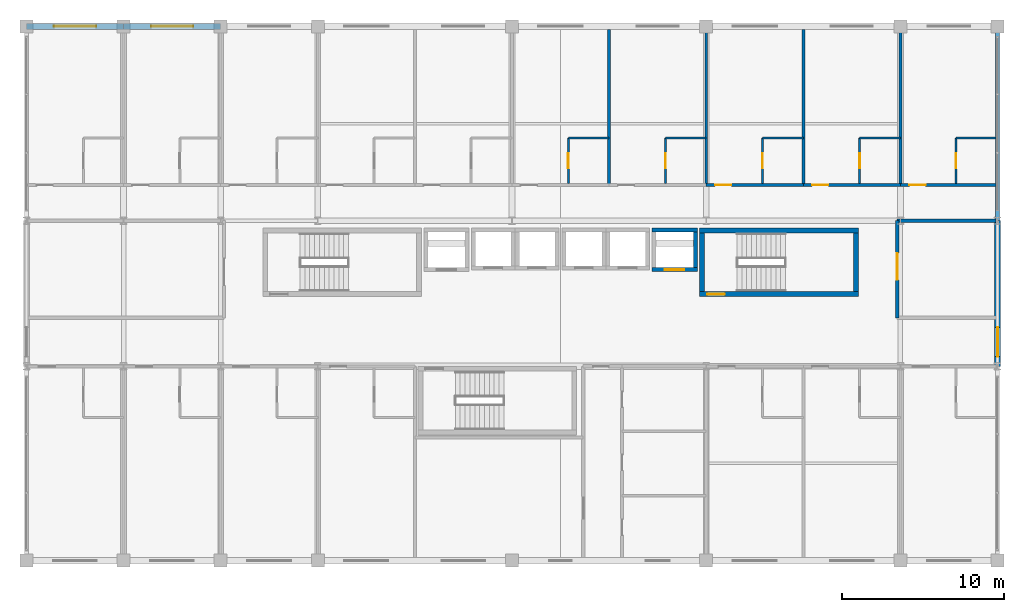
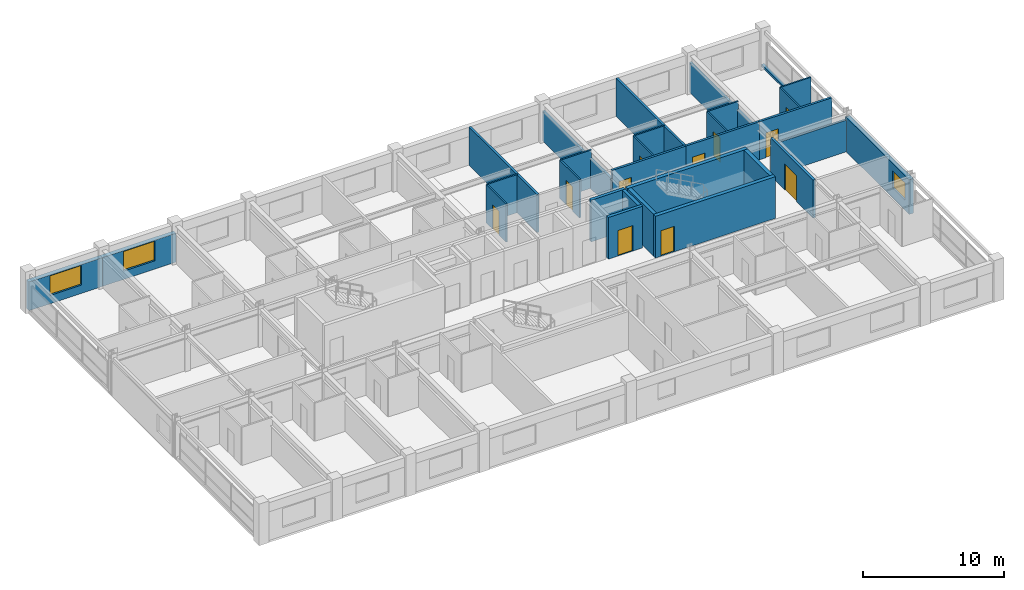
# One storey, part 24 of 26: 30 walls, 11 doors, 3 windows, 14 openings.
"""IFC4 building model written with IfcOpenShell, lengths in metres."""

from ifc_helpers import new_model, si_unit, direction, frame, frame_2d, origin, place, context, subcontext, project, spatial, rectangle, extrude, material, layer, layer_set, type_object, element, fill, save


model = new_model("IFC4")

# Units and contexts
model_context = context("Model", 3, precision=1e-05, world=origin(), true_north=direction((0.0, 1.0)))
body_context = subcontext(model_context, "Body", "Model", "MODEL_VIEW")
ifc_project = project(units=[si_unit("LENGTHUNIT", "METRE"), si_unit("AREAUNIT", "SQUARE_METRE"), si_unit("VOLUMEUNIT", "CUBIC_METRE"), si_unit("PLANEANGLEUNIT", "RADIAN"), si_unit("MASSUNIT", "GRAM", prefix="KILO")], contexts=[model_context])

# Site, building, storey
site_placement = place(None, origin())
site = spatial("IfcSite", under=ifc_project, at=site_placement, CompositionType="ELEMENT")
building_placement = place(site_placement, origin())
building = spatial("IfcBuilding", under=site, at=building_placement, Name="Kaldorvane Square Convention Centre", CompositionType="ELEMENT")
storey_placement = place(building_placement, frame((0.0, 0.0, 42.0)))
storey = spatial("IfcBuildingStorey", under=building, at=storey_placement, Name="L09", CompositionType="ELEMENT", Elevation=42.0)

# Wall, opening, door
ifc_material_1 = material(Name="Fire-Rated Gypsum Board on Acoustic Steel Studs", Category="steel")
ifc_layer_1 = layer(ifc_material_1, 0.125)
ifc_layer_set_1 = layer_set([ifc_layer_1], Name="Fire-Rated Gypsum Board on Acoustic Steel Studs")
wall_type_1 = type_object("IfcWallType", Name="WL-BATH-125", PredefinedType="PARTITIONING", material=ifc_layer_set_1)
wall_1_placement = place(storey_placement, frame((57.47999572753906, 107.28999328613281, 0.0), z_axis=(0.0, 0.0, 1.0), x_axis=(0.0, 1.0, 0.0)))
wall_1 = element("IfcWall", 1, at=wall_1_placement, inside=storey, type_object=wall_type_1, Name="En-Suite 906 West Wall", PredefinedType="PARTITIONING", context=body_context, shape_type="SweptSolid", body=[
    extrude(rectangle(XDim=2.8100128173828125, YDim=0.125, at=frame_2d((1.404998779296875, 0.0))), origin(), (0.0, 0.0, 1.0), 3.2899932861328125),
])
opening_1_placement = place(wall_1_placement, frame((0.9499969482421875, 0.0, 0.0)))
opening_1 = element("IfcOpeningElement", 2, at=opening_1_placement, cuts=wall_1, Name="Opening ID-12", PredefinedType="OPENING", context=body_context, shape_type="SweptSolid", body=[
    extrude(rectangle(XDim=0.9199981689453125, YDim=2.100006103515625, at=frame_2d((0.459991455078125, 1.0500030517578125))), frame((0.0, 0.0774993896484375, 0.0), z_axis=(0.0, -1.0, 0.0), x_axis=(1.0, 0.0, 0.0)), (0.0, 0.0, 1.0), 0.154998779296875),
])
ifc_material_2 = material(Name="Architectural Solid-Core White Oak")
door_type_1 = type_object("IfcDoorType", Name="DR-BATH-0920X2100", OperationType="SINGLE_SWING_RIGHT", PredefinedType="DOOR", material=ifc_material_2)
door_1_placement = place(opening_1_placement, origin())
door_1 = element("IfcDoor", 3, at=door_1_placement, inside=storey, type_object=door_type_1, Name="En-Suite Bathroom 906 Door", OperationType="SINGLE_SWING_RIGHT", OverallHeight=2.100006103515625, OverallWidth=0.9199981689453125, PredefinedType="DOOR", context=body_context, shape_type="SweptSolid", body=[
    extrude(rectangle(XDim=0.9199981689453125, YDim=2.100006103515625, at=frame_2d((0.459991455078125, 1.0500030517578125))), frame((0.0, 0.024993896484375, 0.0), z_axis=(0.0, -1.0, 0.0), x_axis=(1.0, 0.0, 0.0)), (0.0, 0.0, 1.0), 0.0500030517578125),
])
fill(opening_1, door_1)

# Wall
wall_2_placement = place(storey_placement, frame((57.47999572753906, 110.10000610351562, 0.0), z_axis=(0.0, 0.0, 1.0), x_axis=(1.0, 0.0, 0.0)))
element("IfcWall", 4, at=wall_2_placement, inside=storey, type_object=wall_type_1, Name="En-Suite 906 North Wall", PredefinedType="PARTITIONING", context=body_context, shape_type="SweptSolid", body=[
    extrude(rectangle(XDim=2.5200042724609375, YDim=0.125, at=frame_2d((1.260009765625, 0.0))), origin(), (0.0, 0.0, 1.0), 3.2899932861328125),
])

# Wall, opening, door
wall_3_placement = place(storey_placement, frame((63.47999572753906, 107.28999328613281, 0.0), z_axis=(0.0, 0.0, 1.0), x_axis=(0.0, 1.0, 0.0)))
wall_3 = element("IfcWall", 5, at=wall_3_placement, inside=storey, type_object=wall_type_1, Name="En-Suite 907 West Wall", PredefinedType="PARTITIONING", context=body_context, shape_type="SweptSolid", body=[
    extrude(rectangle(XDim=2.8100128173828125, YDim=0.125, at=frame_2d((1.404998779296875, 0.0))), origin(), (0.0, 0.0, 1.0), 3.2899932861328125),
])
opening_2_placement = place(wall_3_placement, frame((0.9499969482421875, 0.0, 0.0)))
opening_2 = element("IfcOpeningElement", 6, at=opening_2_placement, cuts=wall_3, Name="Opening ID-12", PredefinedType="OPENING", context=body_context, shape_type="SweptSolid", body=[
    extrude(rectangle(XDim=0.9199981689453125, YDim=2.100006103515625, at=frame_2d((0.459991455078125, 1.0500030517578125))), frame((0.0, 0.0774993896484375, 0.0), z_axis=(0.0, -1.0, 0.0), x_axis=(1.0, 0.0, 0.0)), (0.0, 0.0, 1.0), 0.154998779296875),
])
door_2_placement = place(opening_2_placement, origin())
door_2 = element("IfcDoor", 7, at=door_2_placement, inside=storey, type_object=door_type_1, Name="En-Suite Bathroom 907 Door", OperationType="SINGLE_SWING_RIGHT", OverallHeight=2.100006103515625, OverallWidth=0.9199981689453125, PredefinedType="DOOR", context=body_context, shape_type="SweptSolid", body=[
    extrude(rectangle(XDim=0.9199981689453125, YDim=2.100006103515625, at=frame_2d((0.459991455078125, 1.0500030517578125))), frame((0.0, 0.024993896484375, 0.0), z_axis=(0.0, -1.0, 0.0), x_axis=(1.0, 0.0, 0.0)), (0.0, 0.0, 1.0), 0.0500030517578125),
])
fill(opening_2, door_2)

# Wall
wall_4_placement = place(storey_placement, frame((63.47999572753906, 110.10000610351562, 0.0), z_axis=(0.0, 0.0, 1.0), x_axis=(1.0, 0.0, 0.0)))
element("IfcWall", 8, at=wall_4_placement, inside=storey, type_object=wall_type_1, Name="En-Suite 907 North Wall", PredefinedType="PARTITIONING", context=body_context, shape_type="SweptSolid", body=[
    extrude(rectangle(XDim=2.5200042724609375, YDim=0.125, at=frame_2d((1.260009765625, 0.0))), origin(), (0.0, 0.0, 1.0), 3.2899932861328125),
])

# Wall, opening, door
wall_5_placement = place(storey_placement, frame((69.47999572753906, 107.28999328613281, 0.0), z_axis=(0.0, 0.0, 1.0), x_axis=(0.0, 1.0, 0.0)))
wall_5 = element("IfcWall", 9, at=wall_5_placement, inside=storey, type_object=wall_type_1, Name="En-Suite 908 West Wall", PredefinedType="PARTITIONING", context=body_context, shape_type="SweptSolid", body=[
    extrude(rectangle(XDim=2.8100128173828125, YDim=0.125, at=frame_2d((1.404998779296875, 0.0))), origin(), (0.0, 0.0, 1.0), 3.2899932861328125),
])
opening_3_placement = place(wall_5_placement, frame((0.9499969482421875, 0.0, 0.0)))
opening_3 = element("IfcOpeningElement", 10, at=opening_3_placement, cuts=wall_5, Name="Opening ID-12", PredefinedType="OPENING", context=body_context, shape_type="SweptSolid", body=[
    extrude(rectangle(XDim=0.9199981689453125, YDim=2.100006103515625, at=frame_2d((0.459991455078125, 1.0500030517578125))), frame((0.0, 0.0774993896484375, 0.0), z_axis=(0.0, -1.0, 0.0), x_axis=(1.0, 0.0, 0.0)), (0.0, 0.0, 1.0), 0.154998779296875),
])
door_3_placement = place(opening_3_placement, origin())
door_3 = element("IfcDoor", 11, at=door_3_placement, inside=storey, type_object=door_type_1, Name="En-Suite Bathroom 908 Door", OperationType="SINGLE_SWING_RIGHT", OverallHeight=2.100006103515625, OverallWidth=0.9199981689453125, PredefinedType="DOOR", context=body_context, shape_type="SweptSolid", body=[
    extrude(rectangle(XDim=0.9199981689453125, YDim=2.100006103515625, at=frame_2d((0.459991455078125, 1.0500030517578125))), frame((0.0, 0.024993896484375, 0.0), z_axis=(0.0, -1.0, 0.0), x_axis=(1.0, 0.0, 0.0)), (0.0, 0.0, 1.0), 0.0500030517578125),
])
fill(opening_3, door_3)

# Wall
wall_6_placement = place(storey_placement, frame((69.47999572753906, 110.10000610351562, 0.0), z_axis=(0.0, 0.0, 1.0), x_axis=(1.0, 0.0, 0.0)))
element("IfcWall", 12, at=wall_6_placement, inside=storey, type_object=wall_type_1, Name="En-Suite 908 North Wall", PredefinedType="PARTITIONING", context=body_context, shape_type="SweptSolid", body=[
    extrude(rectangle(XDim=2.5200042724609375, YDim=0.125, at=frame_2d((1.260009765625, 0.0))), origin(), (0.0, 0.0, 1.0), 3.2899932861328125),
])

# Wall, opening, door
wall_7_placement = place(storey_placement, frame((75.47999572753906, 107.28999328613281, 0.0), z_axis=(0.0, 0.0, 1.0), x_axis=(0.0, 1.0, 0.0)))
wall_7 = element("IfcWall", 13, at=wall_7_placement, inside=storey, type_object=wall_type_1, Name="En-Suite 909 West Wall", PredefinedType="PARTITIONING", context=body_context, shape_type="SweptSolid", body=[
    extrude(rectangle(XDim=2.8100128173828125, YDim=0.125, at=frame_2d((1.404998779296875, 0.0))), origin(), (0.0, 0.0, 1.0), 3.2899932861328125),
])
opening_4_placement = place(wall_7_placement, frame((0.9499969482421875, 0.0, 0.0)))
opening_4 = element("IfcOpeningElement", 14, at=opening_4_placement, cuts=wall_7, Name="Opening ID-12", PredefinedType="OPENING", context=body_context, shape_type="SweptSolid", body=[
    extrude(rectangle(XDim=0.9199981689453125, YDim=2.100006103515625, at=frame_2d((0.459991455078125, 1.0500030517578125))), frame((0.0, 0.0774993896484375, 0.0), z_axis=(0.0, -1.0, 0.0), x_axis=(1.0, 0.0, 0.0)), (0.0, 0.0, 1.0), 0.154998779296875),
])
door_4_placement = place(opening_4_placement, origin())
door_4 = element("IfcDoor", 15, at=door_4_placement, inside=storey, type_object=door_type_1, Name="En-Suite Bathroom 909 Door", OperationType="SINGLE_SWING_RIGHT", OverallHeight=2.100006103515625, OverallWidth=0.9199981689453125, PredefinedType="DOOR", context=body_context, shape_type="SweptSolid", body=[
    extrude(rectangle(XDim=0.9199981689453125, YDim=2.100006103515625, at=frame_2d((0.459991455078125, 1.0500030517578125))), frame((0.0, 0.024993896484375, 0.0), z_axis=(0.0, -1.0, 0.0), x_axis=(1.0, 0.0, 0.0)), (0.0, 0.0, 1.0), 0.0500030517578125),
])
fill(opening_4, door_4)

# Wall
wall_8_placement = place(storey_placement, frame((75.47999572753906, 110.10000610351562, 0.0), z_axis=(0.0, 0.0, 1.0), x_axis=(1.0, 0.0, 0.0)))
element("IfcWall", 16, at=wall_8_placement, inside=storey, type_object=wall_type_1, Name="En-Suite 909 North Wall", PredefinedType="PARTITIONING", context=body_context, shape_type="SweptSolid", body=[
    extrude(rectangle(XDim=2.5200042724609375, YDim=0.125, at=frame_2d((1.260009765625, 0.0))), origin(), (0.0, 0.0, 1.0), 3.2899932861328125),
])

# Wall, opening, door
wall_9_placement = place(storey_placement, frame((81.43499755859375, 107.28999328613281, 0.0), z_axis=(0.0, 0.0, 1.0), x_axis=(0.0, 1.0, 0.0)))
wall_9 = element("IfcWall", 17, at=wall_9_placement, inside=storey, type_object=wall_type_1, Name="En-Suite 910 West Wall", PredefinedType="PARTITIONING", context=body_context, shape_type="SweptSolid", body=[
    extrude(rectangle(XDim=2.8100128173828125, YDim=0.125, at=frame_2d((1.404998779296875, 0.0))), origin(), (0.0, 0.0, 1.0), 3.2899932861328125),
])
opening_5_placement = place(wall_9_placement, frame((0.9499969482421875, 0.0, 0.0)))
opening_5 = element("IfcOpeningElement", 18, at=opening_5_placement, cuts=wall_9, Name="Opening ID-12", PredefinedType="OPENING", context=body_context, shape_type="SweptSolid", body=[
    extrude(rectangle(XDim=0.9199981689453125, YDim=2.100006103515625, at=frame_2d((0.459991455078125, 1.0500030517578125))), frame((0.0, 0.0774993896484375, 0.0), z_axis=(0.0, -1.0, 0.0), x_axis=(1.0, 0.0, 0.0)), (0.0, 0.0, 1.0), 0.154998779296875),
])
door_5_placement = place(opening_5_placement, origin())
door_5 = element("IfcDoor", 19, at=door_5_placement, inside=storey, type_object=door_type_1, Name="En-Suite Bathroom 910 Door", OperationType="SINGLE_SWING_RIGHT", OverallHeight=2.100006103515625, OverallWidth=0.9199981689453125, PredefinedType="DOOR", context=body_context, shape_type="SweptSolid", body=[
    extrude(rectangle(XDim=0.9199981689453125, YDim=2.100006103515625, at=frame_2d((0.459991455078125, 1.0500030517578125))), frame((0.0, 0.024993896484375, 0.0), z_axis=(0.0, -1.0, 0.0), x_axis=(1.0, 0.0, 0.0)), (0.0, 0.0, 1.0), 0.0500030517578125),
])
fill(opening_5, door_5)

# Walls
wall_10_placement = place(storey_placement, frame((81.43499755859375, 110.10000610351562, 0.0), z_axis=(0.0, 0.0, 1.0), x_axis=(1.0, 0.0, 0.0)))
element("IfcWall", 20, at=wall_10_placement, inside=storey, type_object=wall_type_1, Name="En-Suite 910 North Wall", PredefinedType="PARTITIONING", context=body_context, shape_type="SweptSolid", body=[
    extrude(rectangle(XDim=2.4799957275390625, YDim=0.125, at=frame_2d((1.239990234375, 0.0))), origin(), (0.0, 0.0, 1.0), 3.2899932861328125),
])
ifc_layer_2 = layer(ifc_material_1, 0.1999969482421875)
ifc_layer_set_2 = layer_set([ifc_layer_2], Name="Fire-Rated Gypsum Board on Acoustic Steel Studs")
wall_type_2 = type_object("IfcWallType", Name="WL-CORR-200", PredefinedType="PARTITIONING", material=ifc_layer_set_2)
wall_11_placement = place(storey_placement, frame((83.91499328613281, 105.0, 0.0), z_axis=(0.0, 0.0, 1.0), x_axis=(-1.0, 0.0, 0.0)))
element("IfcWall", 21, at=wall_11_placement, inside=storey, type_object=wall_type_2, Name="East Square View Lounge (L09) N Wall", PredefinedType="PARTITIONING", context=body_context, shape_type="SweptSolid", body=[
    extrude(rectangle(XDim=6.114990234375, YDim=0.1999969482421875, at=frame_2d((3.0574951171875, 0.0))), origin(), (0.0, 0.0, 1.0), 2.735992431640625),
])

# Wall, opening, door
wall_12_placement = place(storey_placement, frame((77.80000305175781, 105.0, 0.0), z_axis=(0.0, 0.0, 1.0), x_axis=(0.0, -1.0, 0.0)))
wall_12 = element("IfcWall", 22, at=wall_12_placement, inside=storey, type_object=wall_type_2, Name="East Square View Lounge (L09) W Wall", PredefinedType="PARTITIONING", context=body_context, shape_type="SweptSolid", body=[
    extrude(rectangle(XDim=6.0, YDim=0.1999969482421875, at=frame_2d((3.0, 0.0))), origin(), (0.0, 0.0, 1.0), 3.2899932861328125),
])
opening_6_placement = place(wall_12_placement, frame((2.0, 0.0, 0.0)))
opening_6 = element("IfcOpeningElement", 23, at=opening_6_placement, cuts=wall_12, Name="Opening ID-16", PredefinedType="OPENING", context=body_context, shape_type="SweptSolid", body=[
    extrude(rectangle(XDim=1.649993896484375, YDim=2.25, at=frame_2d((0.8249969482421875, 1.125))), frame((0.0, 0.114990234375, 0.0), z_axis=(0.0, -1.0, 0.0), x_axis=(1.0, 0.0, 0.0)), (0.0, 0.0, 1.0), 0.2299957275390625),
])
ifc_material_3 = material(Name="Acoustic Laminated Glass in Aluminum Frame", Category="aluminium")
door_type_2 = type_object("IfcDoorType", Name="DR-GL-1650X2250", OperationType="DOUBLE_DOOR_SINGLE_SWING", PredefinedType="DOOR", material=ifc_material_3)
door_6_placement = place(opening_6_placement, origin())
door_6 = element("IfcDoor", 24, at=door_6_placement, inside=storey, type_object=door_type_2, Name="East Square View Lounge (L09) Door 1", OperationType="DOUBLE_DOOR_SINGLE_SWING", OverallHeight=2.25, OverallWidth=1.649993896484375, PredefinedType="DOOR", context=body_context, shape_type="SweptSolid", body=[
    extrude(rectangle(XDim=1.649993896484375, YDim=2.25, at=frame_2d((0.8249969482421875, 1.125))), frame((0.0, 0.024993896484375, 0.0), z_axis=(0.0, -1.0, 0.0), x_axis=(1.0, 0.0, 0.0)), (0.0, 0.0, 1.0), 0.0500030517578125),
])
fill(opening_6, door_6)

# Wall, opening, window
ifc_material_4 = material(Name="Concrete f'c = 42 MPa (Normalweight)", Category="concrete")
ifc_layer_3 = layer(ifc_material_4, 0.350006103515625)
ifc_layer_set_3 = layer_set([ifc_layer_3], Name="Concrete f'c = 42 MPa (Normalweight)")
wall_type_3 = type_object("IfcWallType", Name="WL-EXT-350", PredefinedType="STANDARD", material=ifc_layer_set_3)
wall_13_placement = place(storey_placement, frame((30.0, 117.0, 0.0), z_axis=(0.0, 0.0, 1.0), x_axis=(-1.0, 0.0, 0.0)))
wall_13 = element("IfcWall", 25, at=wall_13_placement, inside=storey, type_object=wall_type_3, Name="Hotel N Brutalist Facade Wall (L09)", PredefinedType="STANDARD", context=body_context, shape_type="SweptSolid", body=[
    extrude(rectangle(XDim=6.0, YDim=0.350006103515625, at=frame_2d((3.0, 0.0))), origin(), (0.0, 0.0, 1.0), 2.485992431640625),
])
opening_7_placement = place(wall_13_placement, frame((1.6999969482421875, 0.0, 0.720001220703125)))
opening_7 = element("IfcOpeningElement", 26, at=opening_7_placement, cuts=wall_13, Name="Opening W-05", PredefinedType="OPENING", context=body_context, shape_type="SweptSolid", body=[
    extrude(rectangle(XDim=2.600006103515625, YDim=1.69000244140625, at=frame_2d((1.3000030517578125, 0.845001220703125))), frame((0.0, 0.19000244140625, 0.0), z_axis=(0.0, -1.0, 0.0), x_axis=(1.0, 0.0, 0.0)), (0.0, 0.0, 1.0), 0.3800048828125),
])
ifc_material_5 = material(Name="Anodized Aluminum and Low-E Insulated Glazing", Category="aluminium")
window_type_1 = type_object("IfcWindowType", Name="WN-HTL-2600X1700", PartitioningType="DOUBLE_PANEL_VERTICAL", PredefinedType="WINDOW", material=ifc_material_5)
window_1_placement = place(opening_7_placement, origin())
window_1 = element("IfcWindow", 27, at=window_1_placement, inside=storey, type_object=window_type_1, Name="Hotel N Window (L09)", OverallHeight=1.69000244140625, OverallWidth=2.600006103515625, PartitioningType="DOUBLE_PANEL_VERTICAL", PredefinedType="WINDOW", context=body_context, shape_type="SweptSolid", body=[
    extrude(rectangle(XDim=2.600006103515625, YDim=1.69000244140625, at=frame_2d((1.3000030517578125, 0.845001220703125))), frame((0.0, 0.029998779296875, 0.0), z_axis=(0.0, -1.0, 0.0), x_axis=(1.0, 0.0, 0.0)), (0.0, 0.0, 1.0), 0.05999755859375),
])
fill(opening_7, window_1)

wall_14_placement = place(storey_placement, frame((36.0, 117.0, 0.0), z_axis=(0.0, 0.0, 1.0), x_axis=(-1.0, 0.0, 0.0)))
wall_14 = element("IfcWall", 28, at=wall_14_placement, inside=storey, type_object=wall_type_3, Name="Hotel N Brutalist Facade Wall (L09)", PredefinedType="STANDARD", context=body_context, shape_type="SweptSolid", body=[
    extrude(rectangle(XDim=6.0, YDim=0.350006103515625, at=frame_2d((3.0, 0.0))), origin(), (0.0, 0.0, 1.0), 2.485992431640625),
])
opening_8_placement = place(wall_14_placement, frame((1.6999969482421875, 0.0, 0.720001220703125)))
opening_8 = element("IfcOpeningElement", 29, at=opening_8_placement, cuts=wall_14, Name="Opening W-05", PredefinedType="OPENING", context=body_context, shape_type="SweptSolid", body=[
    extrude(rectangle(XDim=2.600006103515625, YDim=1.69000244140625, at=frame_2d((1.3000030517578125, 0.845001220703125))), frame((0.0, 0.19000244140625, 0.0), z_axis=(0.0, -1.0, 0.0), x_axis=(1.0, 0.0, 0.0)), (0.0, 0.0, 1.0), 0.3800048828125),
])
window_2_placement = place(opening_8_placement, origin())
window_2 = element("IfcWindow", 30, at=window_2_placement, inside=storey, type_object=window_type_1, Name="Hotel N Window (L09)", OverallHeight=1.69000244140625, OverallWidth=2.600006103515625, PartitioningType="DOUBLE_PANEL_VERTICAL", PredefinedType="WINDOW", context=body_context, shape_type="SweptSolid", body=[
    extrude(rectangle(XDim=2.600006103515625, YDim=1.69000244140625, at=frame_2d((1.3000030517578125, 0.845001220703125))), frame((0.0, 0.029998779296875, 0.0), z_axis=(0.0, -1.0, 0.0), x_axis=(1.0, 0.0, 0.0)), (0.0, 0.0, 1.0), 0.05999755859375),
])
fill(opening_8, window_2)

wall_15_placement = place(storey_placement, frame((84.0, 96.0, 0.0), z_axis=(0.0, 0.0, 1.0), x_axis=(0.0, 1.0, 0.0)))
wall_15 = element("IfcWall", 31, at=wall_15_placement, inside=storey, type_object=wall_type_3, Name="Hotel E End Wall (L09)", PredefinedType="STANDARD", context=body_context, shape_type="SweptSolid", body=[
    extrude(rectangle(XDim=9.0, YDim=0.350006103515625, at=frame_2d((4.5, 0.0))), origin(), (0.0, 0.0, 1.0), 2.9810028076171875),
])
opening_9_placement = place(wall_15_placement, frame((0.600006103515625, 0.0, 0.850006103515625)))
opening_9 = element("IfcOpeningElement", 32, at=opening_9_placement, cuts=wall_15, Name="Opening W-11", PredefinedType="OPENING", context=body_context, shape_type="SweptSolid", body=[
    extrude(rectangle(XDim=1.8000030517578125, YDim=1.5, at=frame_2d((0.899993896484375, 0.75))), frame((0.0, 0.19000244140625, 0.0), z_axis=(0.0, -1.0, 0.0), x_axis=(1.0, 0.0, 0.0)), (0.0, 0.0, 1.0), 0.3800048828125),
])
window_type_2 = type_object("IfcWindowType", Name="WN-HTL-1800X1500", PartitioningType="SINGLE_PANEL", PredefinedType="WINDOW", material=ifc_material_5)
window_3_placement = place(opening_9_placement, origin())
window_3 = element("IfcWindow", 33, at=window_3_placement, inside=storey, type_object=window_type_2, Name="Hotel End Window E (L09)", OverallHeight=1.5, OverallWidth=1.8000030517578125, PartitioningType="SINGLE_PANEL", PredefinedType="WINDOW", context=body_context, shape_type="SweptSolid", body=[
    extrude(rectangle(XDim=1.8000030517578125, YDim=1.5, at=frame_2d((0.899993896484375, 0.75))), frame((0.0, 0.029998779296875, 0.0), z_axis=(0.0, -1.0, 0.0), x_axis=(1.0, 0.0, 0.0)), (0.0, 0.0, 1.0), 0.05999755859375),
])
fill(opening_9, window_3)

# Wall
ifc_material_6 = material(Name="Concrete f'c = 35 MPa (Normalweight)", Category="concrete")
ifc_layer_4 = layer(ifc_material_6, 0.220001220703125)
ifc_layer_set_4 = layer_set([ifc_layer_4], Name="Concrete f'c = 35 MPa (Normalweight)")
wall_type_4 = type_object("IfcWallType", Name="WL-PAR-220", PredefinedType="PARAPET", material=ifc_layer_set_4)
wall_16_placement = place(storey_placement, frame((84.0, 105.0, 0.0), z_axis=(0.0, 0.0, 1.0), x_axis=(0.0, 1.0, 0.0)))
element("IfcWall", 34, at=wall_16_placement, inside=storey, type_object=wall_type_4, Name="Hotel End Curtain-Wall Sill (L09)", PredefinedType="PARAPET", context=body_context, shape_type="SweptSolid", body=[
    extrude(rectangle(XDim=12.0, YDim=0.220001220703125, at=frame_2d((6.0, 0.0))), origin(), (0.0, 0.0, 1.0), 0.1999969482421875),
])

# Wall, opening, door
ifc_material_7 = material(Name="Concrete f'c = 55 MPa (Normalweight)", Category="concrete")
ifc_layer_5 = layer(ifc_material_7, 0.3000030517578125)
ifc_layer_set_5 = layer_set([ifc_layer_5], Name="Concrete f'c = 55 MPa (Normalweight)")
wall_type_5 = type_object("IfcWallType", Name="WL-SHAFT-300", PredefinedType="SHEAR", material=ifc_layer_set_5)
wall_17_placement = place(storey_placement, frame((65.60000610351562, 100.46000671386719, 0.0), z_axis=(0.0, 0.0, 1.0), x_axis=(1.0, 0.0, 0.0)))
wall_17 = element("IfcWall", 35, at=wall_17_placement, inside=storey, type_object=wall_type_5, Name="Core Enclosure Wall stair:ST-T2-S (L09)", PredefinedType="SHEAR", context=body_context, shape_type="SweptSolid", body=[
    extrude(rectangle(XDim=9.79998779296875, YDim=0.3000030517578125, at=frame_2d((4.899993896484375, 0.0))), origin(), (0.0, 0.0, 1.0), 3.600006103515625),
])
opening_10_placement = place(wall_17_placement, frame((0.4499969482421875, 0.0, 0.0)))
opening_10 = element("IfcOpeningElement", 36, at=opening_10_placement, cuts=wall_17, Name="Opening FD90-S1", PredefinedType="OPENING", context=body_context, shape_type="SweptSolid", body=[
    extrude(rectangle(XDim=1.100006103515625, YDim=2.1999969482421875, at=frame_2d((0.5500030517578125, 1.100006103515625))), frame((0.0, 0.165008544921875, 0.0), z_axis=(0.0, -1.0, 0.0), x_axis=(1.0, 0.0, 0.0)), (0.0, 0.0, 1.0), 0.3300018310546875),
])
ifc_material_8 = material(Name="Fire-Rated Hollow Metal Steel", Category="steel")
door_type_3 = type_object("IfcDoorType", Name="DR-STAIR-1100", OperationType="SINGLE_SWING_RIGHT", PredefinedType="DOOR", material=ifc_material_8)
door_7_placement = place(opening_10_placement, origin())
door_7 = element("IfcDoor", 37, at=door_7_placement, inside=storey, type_object=door_type_3, Name="Tower Exit Stair T2 Fire Door (L09)", OperationType="SINGLE_SWING_RIGHT", OverallHeight=2.1999969482421875, OverallWidth=1.100006103515625, PredefinedType="DOOR", context=body_context, shape_type="SweptSolid", body=[
    extrude(rectangle(XDim=1.100006103515625, YDim=2.1999969482421875, at=frame_2d((0.5500030517578125, 1.100006103515625))), frame((0.0, 0.024993896484375, 0.0), z_axis=(0.0, -1.0, 0.0), x_axis=(1.0, 0.0, 0.0)), (0.0, 0.0, 1.0), 0.0500030517578125),
])
fill(opening_10, door_7)

# Walls
wall_18_placement = place(storey_placement, frame((75.39999389648438, 104.39999389648438, 0.0), z_axis=(0.0, 0.0, 1.0), x_axis=(-1.0, 0.0, 0.0)))
element("IfcWall", 38, at=wall_18_placement, inside=storey, type_object=wall_type_5, Name="Core Enclosure Wall stair:ST-T2-N (L09)", PredefinedType="SHEAR", context=body_context, shape_type="SweptSolid", body=[
    extrude(rectangle(XDim=9.79998779296875, YDim=0.3000030517578125, at=frame_2d((4.899993896484375, 0.0))), origin(), (0.0, 0.0, 1.0), 3.600006103515625),
])
for number, where, z_axis, x_axis, name in (
    (39, (65.75, 104.25, 0.0), (0.0, 0.0, 1.0), (0.0, -1.0, 0.0), "Core Enclosure Wall stair:ST-T2-W (L09)"),
    (40, (75.25, 100.61000061035156, 0.0), (0.0, 0.0, 1.0), (0.0, 1.0, 0.0), "Core Enclosure Wall stair:ST-T2-E (L09)"),
):
    element("IfcWall", number, at=place(storey_placement, frame(where, z_axis=z_axis, x_axis=x_axis)), inside=storey, type_object=wall_type_5, Name=name, PredefinedType="SHEAR", context=body_context, shape_type="SweptSolid", body=[
        extrude(rectangle(XDim=3.6399993896484375, YDim=0.3000030517578125, at=frame_2d((1.82000732421875, 0.0))), origin(), (0.0, 0.0, 1.0), 3.600006103515625),
    ])

# Wall, opening, door
wall_19_placement = place(storey_placement, frame((62.649993896484375, 101.97500610351562, 0.0), z_axis=(0.0, 0.0, 1.0), x_axis=(1.0, 0.0, 0.0)))
wall_19 = element("IfcWall", 41, at=wall_19_placement, inside=storey, type_object=wall_type_5, Name="Core Enclosure Wall lift:FSAE-02-S (L09)", PredefinedType="SHEAR", context=body_context, shape_type="SweptSolid", body=[
    extrude(rectangle(XDim=2.8000030517578125, YDim=0.25, at=frame_2d((1.399993896484375, 0.0))), origin(), (0.0, 0.0, 1.0), 3.600006103515625),
])
opening_11_placement = place(wall_19_placement, frame((0.8000030517578125, 0.0, 0.0)))
opening_11 = element("IfcOpeningElement", 42, at=opening_11_placement, cuts=wall_19, Name="Opening LD-02", PredefinedType="OPENING", context=body_context, shape_type="SweptSolid", body=[
    extrude(rectangle(XDim=1.1999969482421875, YDim=2.1999969482421875, at=frame_2d((0.600006103515625, 1.100006103515625))), frame((0.0, 0.1399993896484375, 0.0), z_axis=(0.0, -1.0, 0.0), x_axis=(1.0, 0.0, 0.0)), (0.0, 0.0, 1.0), 0.279998779296875),
])
ifc_material_9 = material(Name="Stainless Steel Elevator Door Assembly", Category="steel")
door_type_4 = type_object("IfcDoorType", Name="DR-LIFT-1200", OperationType="DOUBLE_DOOR_SLIDING", PredefinedType="DOOR", material=ifc_material_9)
door_8_placement = place(opening_11_placement, origin())
door_8 = element("IfcDoor", 43, at=door_8_placement, inside=storey, type_object=door_type_4, Name="Elevator Landing Door FSAE-02 (L09)", OperationType="DOUBLE_DOOR_SLIDING", OverallHeight=2.1999969482421875, OverallWidth=1.1999969482421875, PredefinedType="DOOR", context=body_context, shape_type="SweptSolid", body=[
    extrude(rectangle(XDim=1.1999969482421875, YDim=2.1999969482421875, at=frame_2d((0.600006103515625, 1.100006103515625))), frame((0.0, 0.024993896484375, 0.0), z_axis=(0.0, -1.0, 0.0), x_axis=(1.0, 0.0, 0.0)), (0.0, 0.0, 1.0), 0.0500030517578125),
])
fill(opening_11, door_8)

# Walls
wall_20_placement = place(storey_placement, frame((65.44999694824219, 104.42500305175781, 0.0), z_axis=(0.0, 0.0, 1.0), x_axis=(-1.0, 0.0, 0.0)))
element("IfcWall", 44, at=wall_20_placement, inside=storey, type_object=wall_type_5, Name="Core Enclosure Wall lift:FSAE-02-N (L09)", PredefinedType="SHEAR", context=body_context, shape_type="SweptSolid", body=[
    extrude(rectangle(XDim=2.8000030517578125, YDim=0.25, at=frame_2d((1.399993896484375, 0.0))), origin(), (0.0, 0.0, 1.0), 3.600006103515625),
])
wall_21_placement = place(storey_placement, frame((65.32499694824219, 102.10000610351562, 0.0), z_axis=(0.0, 0.0, 1.0), x_axis=(0.0, 1.0, 0.0)))
element("IfcWall", 45, at=wall_21_placement, inside=storey, type_object=wall_type_5, Name="Core Enclosure Wall lift:FSAE-02-E (L09)", PredefinedType="SHEAR", context=body_context, shape_type="SweptSolid", body=[
    extrude(rectangle(XDim=2.1999969482421875, YDim=0.25, at=frame_2d((1.100006103515625, 0.0))), origin(), (0.0, 0.0, 1.0), 3.600006103515625),
])
ifc_layer_6 = layer(ifc_material_1, 0.17999267578125)
ifc_layer_set_6 = layer_set([ifc_layer_6], Name="Fire-Rated Gypsum Board on Acoustic Steel Studs")
wall_type_6 = type_object("IfcWallType", Name="WL-UNIT-180", PredefinedType="PARTITIONING", material=ifc_layer_set_6)
wall_22_placement = place(storey_placement, frame((60.0, 107.19999694824219, 0.0), z_axis=(0.0, 0.0, 1.0), x_axis=(0.0, 1.0, 0.0)))
element("IfcWall", 46, at=wall_22_placement, inside=storey, type_object=wall_type_6, Name="Guestroom Demising Wall 906", PredefinedType="PARTITIONING", context=body_context, shape_type="SweptSolid", body=[
    extrude(rectangle(XDim=9.625, YDim=0.17999267578125, at=frame_2d((4.8125, 0.0))), origin(), (0.0, 0.0, 1.0), 3.2899932861328125),
])
wall_23_placement = place(storey_placement, frame((66.0, 107.19999694824219, 0.0), z_axis=(0.0, 0.0, 1.0), x_axis=(0.0, 1.0, 0.0)))
element("IfcWall", 47, at=wall_23_placement, inside=storey, type_object=wall_type_6, Name="Guestroom Demising Wall 907", PredefinedType="PARTITIONING", context=body_context, shape_type="SweptSolid", body=[
    extrude(rectangle(XDim=9.625, YDim=0.17999267578125, at=frame_2d((4.8125, 0.0))), origin(), (0.0, 0.0, 1.0), 2.589996337890625),
])

# Wall, opening, door
wall_24_placement = place(storey_placement, frame((66.0, 107.19999694824219, 0.0), z_axis=(0.0, 0.0, 1.0), x_axis=(1.0, 0.0, 0.0)))
wall_24 = element("IfcWall", 48, at=wall_24_placement, inside=storey, type_object=wall_type_6, Name="Hotel Guest Room 908 Corridor Wall", PredefinedType="PARTITIONING", context=body_context, shape_type="SweptSolid", body=[
    extrude(rectangle(XDim=6.0, YDim=0.17999267578125, at=frame_2d((3.0, 0.0))), origin(), (0.0, 0.0, 1.0), 3.2899932861328125),
])
opening_12_placement = place(wall_24_placement, frame((0.5500030517578125, 0.0, 0.0)))
opening_12 = element("IfcOpeningElement", 49, at=opening_12_placement, cuts=wall_24, Name="Opening ID-10", PredefinedType="OPENING", context=body_context, shape_type="SweptSolid", body=[
    extrude(rectangle(XDim=1.0, YDim=2.149993896484375, at=frame_2d((0.5, 1.0749969482421875))), frame((0.0, 0.1049957275390625, 0.0), z_axis=(0.0, -1.0, 0.0), x_axis=(1.0, 0.0, 0.0)), (0.0, 0.0, 1.0), 0.209991455078125),
])
door_type_5 = type_object("IfcDoorType", Name="DR-GUEST-1000X2150", OperationType="SINGLE_SWING_LEFT", PredefinedType="DOOR", material=ifc_material_2)
door_9_placement = place(opening_12_placement, origin())
door_9 = element("IfcDoor", 50, at=door_9_placement, inside=storey, type_object=door_type_5, Name="Hotel Guest Room 908 Entry Door", OperationType="SINGLE_SWING_LEFT", OverallHeight=2.149993896484375, OverallWidth=1.0, PredefinedType="DOOR", context=body_context, shape_type="SweptSolid", body=[
    extrude(rectangle(XDim=1.0, YDim=2.149993896484375, at=frame_2d((0.5, 1.0749969482421875))), frame((0.0, 0.024993896484375, 0.0), z_axis=(0.0, -1.0, 0.0), x_axis=(1.0, 0.0, 0.0)), (0.0, 0.0, 1.0), 0.0500030517578125),
])
fill(opening_12, door_9)

# Wall
wall_25_placement = place(storey_placement, frame((72.0, 107.19999694824219, 0.0), z_axis=(0.0, 0.0, 1.0), x_axis=(0.0, 1.0, 0.0)))
element("IfcWall", 51, at=wall_25_placement, inside=storey, type_object=wall_type_6, Name="Guestroom Demising Wall 908", PredefinedType="PARTITIONING", context=body_context, shape_type="SweptSolid", body=[
    extrude(rectangle(XDim=9.625, YDim=0.17999267578125, at=frame_2d((4.8125, 0.0))), origin(), (0.0, 0.0, 1.0), 3.2899932861328125),
])

# Wall, opening, door
wall_26_placement = place(storey_placement, frame((72.0, 107.19999694824219, 0.0), z_axis=(0.0, 0.0, 1.0), x_axis=(1.0, 0.0, 0.0)))
wall_26 = element("IfcWall", 52, at=wall_26_placement, inside=storey, type_object=wall_type_6, Name="Hotel Guest Room 909 Corridor Wall", PredefinedType="PARTITIONING", context=body_context, shape_type="SweptSolid", body=[
    extrude(rectangle(XDim=6.0, YDim=0.17999267578125, at=frame_2d((3.0, 0.0))), origin(), (0.0, 0.0, 1.0), 3.2899932861328125),
])
opening_13_placement = place(wall_26_placement, frame((0.5500030517578125, 0.0, 0.0)))
opening_13 = element("IfcOpeningElement", 53, at=opening_13_placement, cuts=wall_26, Name="Opening ID-10", PredefinedType="OPENING", context=body_context, shape_type="SweptSolid", body=[
    extrude(rectangle(XDim=1.0, YDim=2.149993896484375, at=frame_2d((0.5, 1.0749969482421875))), frame((0.0, 0.1049957275390625, 0.0), z_axis=(0.0, -1.0, 0.0), x_axis=(1.0, 0.0, 0.0)), (0.0, 0.0, 1.0), 0.209991455078125),
])
door_10_placement = place(opening_13_placement, origin())
door_10 = element("IfcDoor", 54, at=door_10_placement, inside=storey, type_object=door_type_5, Name="Hotel Guest Room 909 Entry Door", OperationType="SINGLE_SWING_LEFT", OverallHeight=2.149993896484375, OverallWidth=1.0, PredefinedType="DOOR", context=body_context, shape_type="SweptSolid", body=[
    extrude(rectangle(XDim=1.0, YDim=2.149993896484375, at=frame_2d((0.5, 1.0749969482421875))), frame((0.0, 0.024993896484375, 0.0), z_axis=(0.0, -1.0, 0.0), x_axis=(1.0, 0.0, 0.0)), (0.0, 0.0, 1.0), 0.0500030517578125),
])
fill(opening_13, door_10)

# Wall
wall_27_placement = place(storey_placement, frame((78.0, 107.19999694824219, 0.0), z_axis=(0.0, 0.0, 1.0), x_axis=(0.0, 1.0, 0.0)))
element("IfcWall", 55, at=wall_27_placement, inside=storey, type_object=wall_type_6, Name="Guestroom Demising Wall 909", PredefinedType="PARTITIONING", context=body_context, shape_type="SweptSolid", body=[
    extrude(rectangle(XDim=9.625, YDim=0.17999267578125, at=frame_2d((4.8125, 0.0))), origin(), (0.0, 0.0, 1.0), 2.589996337890625),
])

# Wall, opening, door
wall_28_placement = place(storey_placement, frame((78.0, 107.19999694824219, 0.0), z_axis=(0.0, 0.0, 1.0), x_axis=(1.0, 0.0, 0.0)))
wall_28 = element("IfcWall", 56, at=wall_28_placement, inside=storey, type_object=wall_type_6, Name="Hotel Guest Room 910 Corridor Wall", PredefinedType="PARTITIONING", context=body_context, shape_type="SweptSolid", body=[
    extrude(rectangle(XDim=5.9149932861328125, YDim=0.17999267578125, at=frame_2d((2.957489013671875, 0.0))), origin(), (0.0, 0.0, 1.0), 3.2899932861328125),
])
opening_14_placement = place(wall_28_placement, frame((0.5500030517578125, 0.0, 0.0)))
opening_14 = element("IfcOpeningElement", 57, at=opening_14_placement, cuts=wall_28, Name="Opening ID-10", PredefinedType="OPENING", context=body_context, shape_type="SweptSolid", body=[
    extrude(rectangle(XDim=1.0, YDim=2.149993896484375, at=frame_2d((0.5, 1.0749969482421875))), frame((0.0, 0.1049957275390625, 0.0), z_axis=(0.0, -1.0, 0.0), x_axis=(1.0, 0.0, 0.0)), (0.0, 0.0, 1.0), 0.209991455078125),
])
door_11_placement = place(opening_14_placement, origin())
door_11 = element("IfcDoor", 58, at=door_11_placement, inside=storey, type_object=door_type_5, Name="Hotel Guest Room 910 Entry Door", OperationType="SINGLE_SWING_LEFT", OverallHeight=2.149993896484375, OverallWidth=1.0, PredefinedType="DOOR", context=body_context, shape_type="SweptSolid", body=[
    extrude(rectangle(XDim=1.0, YDim=2.149993896484375, at=frame_2d((0.5, 1.0749969482421875))), frame((0.0, 0.024993896484375, 0.0), z_axis=(0.0, -1.0, 0.0), x_axis=(1.0, 0.0, 0.0)), (0.0, 0.0, 1.0), 0.0500030517578125),
])
fill(opening_14, door_11)

save(model, "model.ifc")
